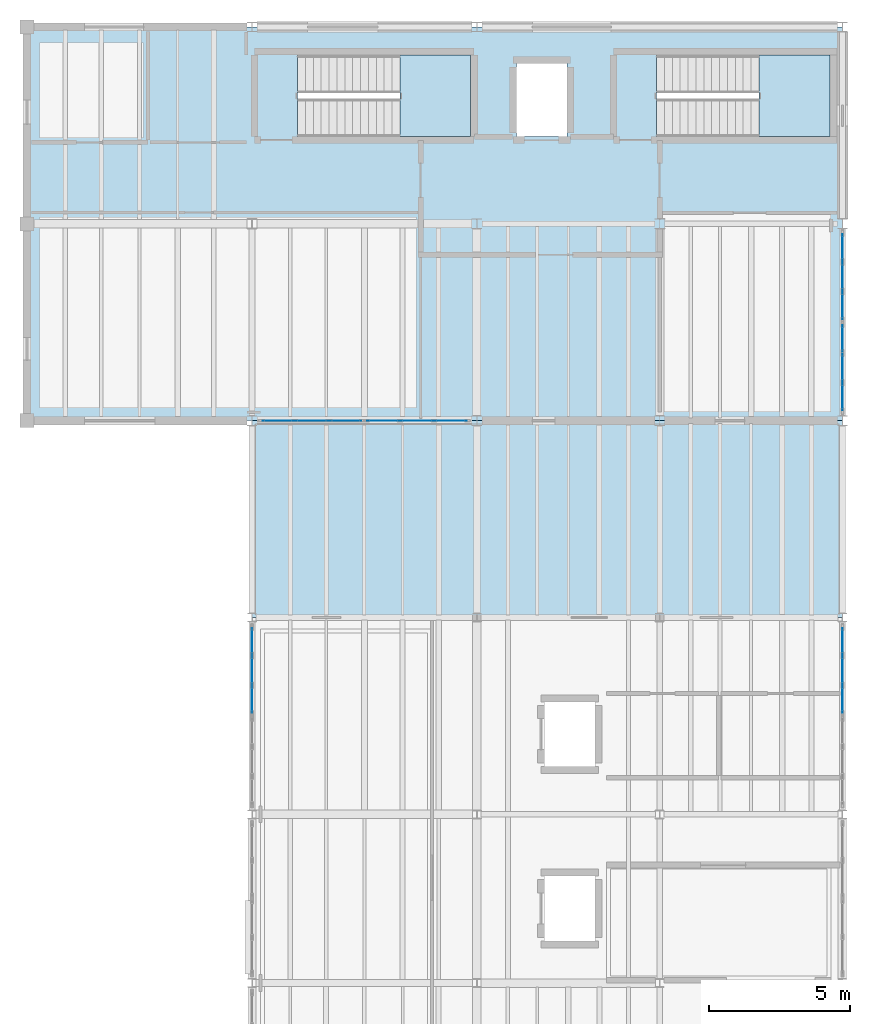
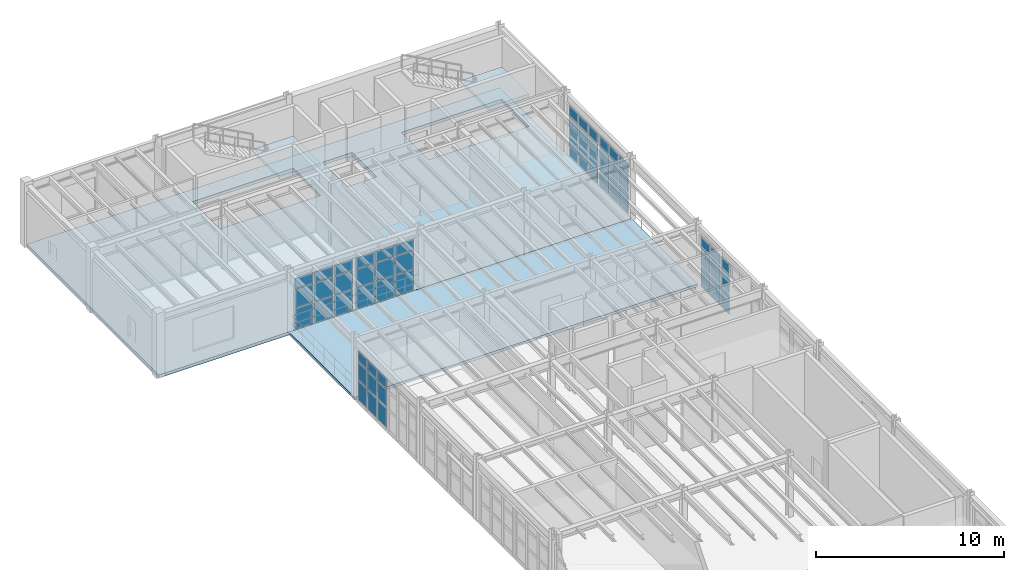
# One storey, part 21 of 27: 54 plates, 4 slabs, 8 elements without a shape of their own.
"""IFC4 building model written with IfcOpenShell, lengths in metres."""

from ifc_helpers import new_model, si_unit, direction, frame, origin, origin_2d, place, context, subcontext, project, spatial, polyline, rectangle, outline, extrude, material, layer, layer_set, type_object, element, aggregate, save


model = new_model("IFC4")

# Units and contexts
model_context = context("Model", 3, precision=1e-05, world=origin(), true_north=direction((0.0, 1.0)))
body_context = subcontext(model_context, "Body", "Model", "MODEL_VIEW")
ifc_project = project(units=[si_unit("LENGTHUNIT", "METRE"), si_unit("AREAUNIT", "SQUARE_METRE"), si_unit("VOLUMEUNIT", "CUBIC_METRE"), si_unit("PLANEANGLEUNIT", "RADIAN"), si_unit("MASSUNIT", "GRAM", prefix="KILO"), si_unit("THERMODYNAMICTEMPERATUREUNIT", "KELVIN"), si_unit("POWERUNIT", "WATT")], contexts=[model_context])

# Site, building, storey
site_placement = place(None, origin())
site = spatial("IfcSite", under=ifc_project, at=site_placement, CompositionType="ELEMENT")
building_placement = place(site_placement, origin())
building = spatial("IfcBuilding", under=site, at=building_placement, Name="Zhenchuan Central Fire Station", CompositionType="ELEMENT")
storey_placement = place(building_placement, frame((0.0, 0.0, 14.25)))
storey = spatial("IfcBuildingStorey", under=building, at=storey_placement, Name="L04", CompositionType="ELEMENT", Elevation=14.25)

# Curtain wall, plates
ifc_material_1 = material(Name="Anodised aluminium and low-E glazing", Category="aluminium")
curtain_wall_type_1 = type_object("IfcCurtainWallType", Name="CW-MOD-13", PredefinedType="USERDEFINED", material=ifc_material_1)
curtain_wall_1_placement = place(storey_placement, origin())
curtain_wall_1 = element("IfcCurtainWall", 1, at=curtain_wall_1_placement, inside=storey, type_object=curtain_wall_type_1, Name="L04 Unitised Curtain Wall 131", ObjectType="UNITISED GLAZING", PredefinedType="USERDEFINED")
ifc_material_2 = material(Name="Laminated low-E double glazing", Category="glass")
ifc_layer_1 = layer(ifc_material_2, 0.011962890625, Name="Laminated low-E double glazing", Category="glass")
ifc_layer_set_1 = layer_set([ifc_layer_1], Name="Laminated low-E double glazing")
plate_type = type_object("IfcPlateType", Name="CW-PNL12", PredefinedType="CURTAIN_PANEL", material=ifc_layer_set_1)
plate_1_placement = place(storey_placement, frame((161.0, 32.583740234375, 0.07080078125), z_axis=(0.0, 0.0, 1.0), x_axis=(0.0, 1.0, 0.0)))
plate_1 = element("IfcPlate", 2, at=plate_1_placement, type_object=plate_type, Name="CW-13 panel 1.1", PredefinedType="CURTAIN_PANEL", context=body_context, shape_type="SweptSolid", body=[
    extrude(rectangle(XDim=0.94140625, YDim=0.011962890625, at=origin_2d()), origin(), (0.0, 0.0, 1.0), 1.319580078125),
])
plate_2_placement = place(storey_placement, frame((161.0, 32.583740234375, 1.465576171875), z_axis=(0.0, 0.0, 1.0), x_axis=(0.0, 1.0, 0.0)))
plate_2 = element("IfcPlate", 3, at=plate_2_placement, type_object=plate_type, Name="CW-13 panel 1.2", PredefinedType="CURTAIN_PANEL", context=body_context, shape_type="SweptSolid", body=[
    extrude(rectangle(XDim=0.94140625, YDim=0.011962890625, at=origin_2d()), origin(), (0.0, 0.0, 1.0), 1.14892578125),
])
plate_3_placement = place(storey_placement, frame((161.0, 32.583740234375, 2.689453125), z_axis=(0.0, 0.0, 1.0), x_axis=(0.0, 1.0, 0.0)))
plate_3 = element("IfcPlate", 4, at=plate_3_placement, type_object=plate_type, Name="CW-13 panel 1.3", PredefinedType="CURTAIN_PANEL", context=body_context, shape_type="SweptSolid", body=[
    extrude(rectangle(XDim=0.94140625, YDim=0.011962890625, at=origin_2d()), origin(), (0.0, 0.0, 1.0), 0.635498046875),
])
plate_4_placement = place(storey_placement, frame((161.0, 33.618896484375, 0.07080078125), z_axis=(0.0, 0.0, 1.0), x_axis=(0.0, 1.0, 0.0)))
plate_4 = element("IfcPlate", 5, at=plate_4_placement, type_object=plate_type, Name="CW-13 panel 2.1", PredefinedType="CURTAIN_PANEL", context=body_context, shape_type="SweptSolid", body=[
    extrude(rectangle(XDim=0.97900390625, YDim=0.011962890625, at=origin_2d()), origin(), (0.0, 0.0, 1.0), 1.319580078125),
])
plate_5_placement = place(storey_placement, frame((161.0, 33.618896484375, 1.465576171875), z_axis=(0.0, 0.0, 1.0), x_axis=(0.0, 1.0, 0.0)))
plate_5 = element("IfcPlate", 6, at=plate_5_placement, type_object=plate_type, Name="CW-13 panel 2.2", PredefinedType="CURTAIN_PANEL", context=body_context, shape_type="SweptSolid", body=[
    extrude(rectangle(XDim=0.97900390625, YDim=0.011962890625, at=origin_2d()), origin(), (0.0, 0.0, 1.0), 1.14892578125),
])
plate_6_placement = place(storey_placement, frame((161.0, 33.618896484375, 2.689453125), z_axis=(0.0, 0.0, 1.0), x_axis=(0.0, 1.0, 0.0)))
plate_6 = element("IfcPlate", 7, at=plate_6_placement, type_object=plate_type, Name="CW-13 panel 2.3", PredefinedType="CURTAIN_PANEL", context=body_context, shape_type="SweptSolid", body=[
    extrude(rectangle(XDim=0.97900390625, YDim=0.011962890625, at=origin_2d()), origin(), (0.0, 0.0, 1.0), 0.635498046875),
])
plate_7_placement = place(storey_placement, frame((161.0, 34.654296875, 0.07080078125), z_axis=(0.0, 0.0, 1.0), x_axis=(0.0, 1.0, 0.0)))
plate_7 = element("IfcPlate", 8, at=plate_7_placement, type_object=plate_type, Name="CW-13 panel 3.1", PredefinedType="CURTAIN_PANEL", context=body_context, shape_type="SweptSolid", body=[
    extrude(rectangle(XDim=0.94140625, YDim=0.011962890625, at=origin_2d()), origin(), (0.0, 0.0, 1.0), 1.319580078125),
])
plate_8_placement = place(storey_placement, frame((161.0, 34.654296875, 1.465576171875), z_axis=(0.0, 0.0, 1.0), x_axis=(0.0, 1.0, 0.0)))
plate_8 = element("IfcPlate", 9, at=plate_8_placement, type_object=plate_type, Name="CW-13 panel 3.2", PredefinedType="CURTAIN_PANEL", context=body_context, shape_type="SweptSolid", body=[
    extrude(rectangle(XDim=0.94140625, YDim=0.011962890625, at=origin_2d()), origin(), (0.0, 0.0, 1.0), 1.14892578125),
])
plate_9_placement = place(storey_placement, frame((161.0, 34.654296875, 2.689453125), z_axis=(0.0, 0.0, 1.0), x_axis=(0.0, 1.0, 0.0)))
plate_9 = element("IfcPlate", 10, at=plate_9_placement, type_object=plate_type, Name="CW-13 panel 3.3", PredefinedType="CURTAIN_PANEL", context=body_context, shape_type="SweptSolid", body=[
    extrude(rectangle(XDim=0.94140625, YDim=0.011962890625, at=origin_2d()), origin(), (0.0, 0.0, 1.0), 0.635498046875),
])
aggregate(curtain_wall_1, [plate_1, plate_2, plate_3, plate_4, plate_5, plate_6, plate_7, plate_8, plate_9])

curtain_wall_type_2 = type_object("IfcCurtainWallType", Name="CW-MOD-17", PredefinedType="USERDEFINED", material=ifc_material_1)
curtain_wall_2_placement = place(storey_placement, origin())
curtain_wall_2 = element("IfcCurtainWall", 11, at=curtain_wall_2_placement, inside=storey, type_object=curtain_wall_type_2, Name="L04 Unitised Curtain Wall 141", ObjectType="UNITISED GLAZING", PredefinedType="USERDEFINED")
plate_10_placement = place(storey_placement, frame((140.0, 32.583740234375, 0.071044921875), z_axis=(0.0, 0.0, 1.0), x_axis=(0.0, 1.0, 0.0)))
plate_10 = element("IfcPlate", 12, at=plate_10_placement, type_object=plate_type, Name="CW-17 panel 1.1", PredefinedType="CURTAIN_PANEL", context=body_context, shape_type="SweptSolid", body=[
    extrude(rectangle(XDim=0.94140625, YDim=0.011962890625, at=origin_2d()), origin(), (0.0, 0.0, 1.0), 1.28759765625),
])
plate_11_placement = place(storey_placement, frame((140.0, 32.583740234375, 1.43359375), z_axis=(0.0, 0.0, 1.0), x_axis=(0.0, 1.0, 0.0)))
plate_11 = element("IfcPlate", 13, at=plate_11_placement, type_object=plate_type, Name="CW-17 panel 1.2", PredefinedType="CURTAIN_PANEL", context=body_context, shape_type="SweptSolid", body=[
    extrude(rectangle(XDim=0.94140625, YDim=0.011962890625, at=origin_2d()), origin(), (0.0, 0.0, 1.0), 1.12158203125),
])
plate_12_placement = place(storey_placement, frame((140.0, 32.583740234375, 2.63037109375), z_axis=(0.0, 0.0, 1.0), x_axis=(0.0, 1.0, 0.0)))
plate_12 = element("IfcPlate", 14, at=plate_12_placement, type_object=plate_type, Name="CW-17 panel 1.3", PredefinedType="CURTAIN_PANEL", context=body_context, shape_type="SweptSolid", body=[
    extrude(rectangle(XDim=0.94140625, YDim=0.011962890625, at=origin_2d()), origin(), (0.0, 0.0, 1.0), 0.618896484375),
])
plate_13_placement = place(storey_placement, frame((140.0, 33.618896484375, 0.071044921875), z_axis=(0.0, 0.0, 1.0), x_axis=(0.0, 1.0, 0.0)))
plate_13 = element("IfcPlate", 15, at=plate_13_placement, type_object=plate_type, Name="CW-17 panel 2.1", PredefinedType="CURTAIN_PANEL", context=body_context, shape_type="SweptSolid", body=[
    extrude(rectangle(XDim=0.97900390625, YDim=0.011962890625, at=origin_2d()), origin(), (0.0, 0.0, 1.0), 1.28759765625),
])
plate_14_placement = place(storey_placement, frame((140.0, 33.618896484375, 1.43359375), z_axis=(0.0, 0.0, 1.0), x_axis=(0.0, 1.0, 0.0)))
plate_14 = element("IfcPlate", 16, at=plate_14_placement, type_object=plate_type, Name="CW-17 panel 2.2", PredefinedType="CURTAIN_PANEL", context=body_context, shape_type="SweptSolid", body=[
    extrude(rectangle(XDim=0.97900390625, YDim=0.011962890625, at=origin_2d()), origin(), (0.0, 0.0, 1.0), 1.12158203125),
])
plate_15_placement = place(storey_placement, frame((140.0, 33.618896484375, 2.63037109375), z_axis=(0.0, 0.0, 1.0), x_axis=(0.0, 1.0, 0.0)))
plate_15 = element("IfcPlate", 17, at=plate_15_placement, type_object=plate_type, Name="CW-17 panel 2.3", PredefinedType="CURTAIN_PANEL", context=body_context, shape_type="SweptSolid", body=[
    extrude(rectangle(XDim=0.97900390625, YDim=0.011962890625, at=origin_2d()), origin(), (0.0, 0.0, 1.0), 0.618896484375),
])
plate_16_placement = place(storey_placement, frame((140.0, 34.654296875, 0.071044921875), z_axis=(0.0, 0.0, 1.0), x_axis=(0.0, 1.0, 0.0)))
plate_16 = element("IfcPlate", 18, at=plate_16_placement, type_object=plate_type, Name="CW-17 panel 3.1", PredefinedType="CURTAIN_PANEL", context=body_context, shape_type="SweptSolid", body=[
    extrude(rectangle(XDim=0.94140625, YDim=0.011962890625, at=origin_2d()), origin(), (0.0, 0.0, 1.0), 1.28759765625),
])
plate_17_placement = place(storey_placement, frame((140.0, 34.654296875, 1.43359375), z_axis=(0.0, 0.0, 1.0), x_axis=(0.0, 1.0, 0.0)))
plate_17 = element("IfcPlate", 19, at=plate_17_placement, type_object=plate_type, Name="CW-17 panel 3.2", PredefinedType="CURTAIN_PANEL", context=body_context, shape_type="SweptSolid", body=[
    extrude(rectangle(XDim=0.94140625, YDim=0.011962890625, at=origin_2d()), origin(), (0.0, 0.0, 1.0), 1.12158203125),
])
plate_18_placement = place(storey_placement, frame((140.0, 34.654296875, 2.63037109375), z_axis=(0.0, 0.0, 1.0), x_axis=(0.0, 1.0, 0.0)))
plate_18 = element("IfcPlate", 20, at=plate_18_placement, type_object=plate_type, Name="CW-17 panel 3.3", PredefinedType="CURTAIN_PANEL", context=body_context, shape_type="SweptSolid", body=[
    extrude(rectangle(XDim=0.94140625, YDim=0.011962890625, at=origin_2d()), origin(), (0.0, 0.0, 1.0), 0.618896484375),
])
aggregate(curtain_wall_2, [plate_10, plate_11, plate_12, plate_13, plate_14, plate_15, plate_16, plate_17, plate_18])

curtain_wall_type_3 = type_object("IfcCurtainWallType", Name="CW-MOD-14", PredefinedType="USERDEFINED", material=ifc_material_1)
curtain_wall_3_placement = place(storey_placement, origin())
curtain_wall_3 = element("IfcCurtainWall", 21, at=curtain_wall_3_placement, inside=storey, type_object=curtain_wall_type_3, Name="L04 Unitised Curtain Wall 146", ObjectType="UNITISED GLAZING", PredefinedType="USERDEFINED")
plate_19_placement = place(storey_placement, frame((161.0, 43.345703125, 0.071044921875), z_axis=(0.0, 0.0, 1.0), x_axis=(0.0, 1.0, 0.0)))
plate_19 = element("IfcPlate", 22, at=plate_19_placement, type_object=plate_type, Name="CW-14 panel 1.1", PredefinedType="CURTAIN_PANEL", context=body_context, shape_type="SweptSolid", body=[
    extrude(rectangle(XDim=0.94140625, YDim=0.011962890625, at=origin_2d()), origin(), (0.0, 0.0, 1.0), 1.31689453125),
])
plate_20_placement = place(storey_placement, frame((161.0, 43.345703125, 1.462890625), z_axis=(0.0, 0.0, 1.0), x_axis=(0.0, 1.0, 0.0)))
plate_20 = element("IfcPlate", 23, at=plate_20_placement, type_object=plate_type, Name="CW-14 panel 1.2", PredefinedType="CURTAIN_PANEL", context=body_context, shape_type="SweptSolid", body=[
    extrude(rectangle(XDim=0.94140625, YDim=0.011962890625, at=origin_2d()), origin(), (0.0, 0.0, 1.0), 1.146728515625),
])
plate_21_placement = place(storey_placement, frame((161.0, 43.345703125, 2.684814453125), z_axis=(0.0, 0.0, 1.0), x_axis=(0.0, 1.0, 0.0)))
plate_21 = element("IfcPlate", 24, at=plate_21_placement, type_object=plate_type, Name="CW-14 panel 1.3", PredefinedType="CURTAIN_PANEL", context=body_context, shape_type="SweptSolid", body=[
    extrude(rectangle(XDim=0.94140625, YDim=0.011962890625, at=origin_2d()), origin(), (0.0, 0.0, 1.0), 0.63427734375),
])
plate_22_placement = place(storey_placement, frame((161.0, 44.381103515625, 0.071044921875), z_axis=(0.0, 0.0, 1.0), x_axis=(0.0, 1.0, 0.0)))
plate_22 = element("IfcPlate", 25, at=plate_22_placement, type_object=plate_type, Name="CW-14 panel 2.1", PredefinedType="CURTAIN_PANEL", context=body_context, shape_type="SweptSolid", body=[
    extrude(rectangle(XDim=0.97900390625, YDim=0.011962890625, at=origin_2d()), origin(), (0.0, 0.0, 1.0), 1.31689453125),
])
plate_23_placement = place(storey_placement, frame((161.0, 44.381103515625, 1.462890625), z_axis=(0.0, 0.0, 1.0), x_axis=(0.0, 1.0, 0.0)))
plate_23 = element("IfcPlate", 26, at=plate_23_placement, type_object=plate_type, Name="CW-14 panel 2.2", PredefinedType="CURTAIN_PANEL", context=body_context, shape_type="SweptSolid", body=[
    extrude(rectangle(XDim=0.97900390625, YDim=0.011962890625, at=origin_2d()), origin(), (0.0, 0.0, 1.0), 1.146728515625),
])
plate_24_placement = place(storey_placement, frame((161.0, 44.381103515625, 2.684814453125), z_axis=(0.0, 0.0, 1.0), x_axis=(0.0, 1.0, 0.0)))
plate_24 = element("IfcPlate", 27, at=plate_24_placement, type_object=plate_type, Name="CW-14 panel 2.3", PredefinedType="CURTAIN_PANEL", context=body_context, shape_type="SweptSolid", body=[
    extrude(rectangle(XDim=0.97900390625, YDim=0.011962890625, at=origin_2d()), origin(), (0.0, 0.0, 1.0), 0.63427734375),
])
plate_25_placement = place(storey_placement, frame((161.0, 45.416259765625, 0.071044921875), z_axis=(0.0, 0.0, 1.0), x_axis=(0.0, 1.0, 0.0)))
plate_25 = element("IfcPlate", 28, at=plate_25_placement, type_object=plate_type, Name="CW-14 panel 3.1", PredefinedType="CURTAIN_PANEL", context=body_context, shape_type="SweptSolid", body=[
    extrude(rectangle(XDim=0.94140625, YDim=0.011962890625, at=origin_2d()), origin(), (0.0, 0.0, 1.0), 1.31689453125),
])
plate_26_placement = place(storey_placement, frame((161.0, 45.416259765625, 1.462890625), z_axis=(0.0, 0.0, 1.0), x_axis=(0.0, 1.0, 0.0)))
plate_26 = element("IfcPlate", 29, at=plate_26_placement, type_object=plate_type, Name="CW-14 panel 3.2", PredefinedType="CURTAIN_PANEL", context=body_context, shape_type="SweptSolid", body=[
    extrude(rectangle(XDim=0.94140625, YDim=0.011962890625, at=origin_2d()), origin(), (0.0, 0.0, 1.0), 1.146728515625),
])
plate_27_placement = place(storey_placement, frame((161.0, 45.416259765625, 2.684814453125), z_axis=(0.0, 0.0, 1.0), x_axis=(0.0, 1.0, 0.0)))
plate_27 = element("IfcPlate", 30, at=plate_27_placement, type_object=plate_type, Name="CW-14 panel 3.3", PredefinedType="CURTAIN_PANEL", context=body_context, shape_type="SweptSolid", body=[
    extrude(rectangle(XDim=0.94140625, YDim=0.011962890625, at=origin_2d()), origin(), (0.0, 0.0, 1.0), 0.63427734375),
])
aggregate(curtain_wall_3, [plate_19, plate_20, plate_21, plate_22, plate_23, plate_24, plate_25, plate_26, plate_27])

curtain_wall_type_4 = type_object("IfcCurtainWallType", Name="CW-MOD-15", PredefinedType="USERDEFINED", material=ifc_material_1)
curtain_wall_4_placement = place(storey_placement, origin())
curtain_wall_4 = element("IfcCurtainWall", 31, at=curtain_wall_4_placement, inside=storey, type_object=curtain_wall_type_4, Name="L04 Unitised Curtain Wall 147", ObjectType="UNITISED GLAZING", PredefinedType="USERDEFINED")
plate_28_placement = place(storey_placement, frame((161.0, 46.583740234375, 0.071044921875), z_axis=(0.0, 0.0, 1.0), x_axis=(0.0, 1.0, 0.0)))
plate_28 = element("IfcPlate", 32, at=plate_28_placement, type_object=plate_type, Name="CW-15 panel 1.1", PredefinedType="CURTAIN_PANEL", context=body_context, shape_type="SweptSolid", body=[
    extrude(rectangle(XDim=0.94140625, YDim=0.011962890625, at=origin_2d()), origin(), (0.0, 0.0, 1.0), 1.31689453125),
])
plate_29_placement = place(storey_placement, frame((161.0, 46.583740234375, 1.462890625), z_axis=(0.0, 0.0, 1.0), x_axis=(0.0, 1.0, 0.0)))
plate_29 = element("IfcPlate", 33, at=plate_29_placement, type_object=plate_type, Name="CW-15 panel 1.2", PredefinedType="CURTAIN_PANEL", context=body_context, shape_type="SweptSolid", body=[
    extrude(rectangle(XDim=0.94140625, YDim=0.011962890625, at=origin_2d()), origin(), (0.0, 0.0, 1.0), 1.146728515625),
])
plate_30_placement = place(storey_placement, frame((161.0, 46.583740234375, 2.684814453125), z_axis=(0.0, 0.0, 1.0), x_axis=(0.0, 1.0, 0.0)))
plate_30 = element("IfcPlate", 34, at=plate_30_placement, type_object=plate_type, Name="CW-15 panel 1.3", PredefinedType="CURTAIN_PANEL", context=body_context, shape_type="SweptSolid", body=[
    extrude(rectangle(XDim=0.94140625, YDim=0.011962890625, at=origin_2d()), origin(), (0.0, 0.0, 1.0), 0.63427734375),
])
plate_31_placement = place(storey_placement, frame((161.0, 47.618896484375, 0.071044921875), z_axis=(0.0, 0.0, 1.0), x_axis=(0.0, 1.0, 0.0)))
plate_31 = element("IfcPlate", 35, at=plate_31_placement, type_object=plate_type, Name="CW-15 panel 2.1", PredefinedType="CURTAIN_PANEL", context=body_context, shape_type="SweptSolid", body=[
    extrude(rectangle(XDim=0.97900390625, YDim=0.011962890625, at=origin_2d()), origin(), (0.0, 0.0, 1.0), 1.31689453125),
])
plate_32_placement = place(storey_placement, frame((161.0, 47.618896484375, 1.462890625), z_axis=(0.0, 0.0, 1.0), x_axis=(0.0, 1.0, 0.0)))
plate_32 = element("IfcPlate", 36, at=plate_32_placement, type_object=plate_type, Name="CW-15 panel 2.2", PredefinedType="CURTAIN_PANEL", context=body_context, shape_type="SweptSolid", body=[
    extrude(rectangle(XDim=0.97900390625, YDim=0.011962890625, at=origin_2d()), origin(), (0.0, 0.0, 1.0), 1.146728515625),
])
plate_33_placement = place(storey_placement, frame((161.0, 47.618896484375, 2.684814453125), z_axis=(0.0, 0.0, 1.0), x_axis=(0.0, 1.0, 0.0)))
plate_33 = element("IfcPlate", 37, at=plate_33_placement, type_object=plate_type, Name="CW-15 panel 2.3", PredefinedType="CURTAIN_PANEL", context=body_context, shape_type="SweptSolid", body=[
    extrude(rectangle(XDim=0.97900390625, YDim=0.011962890625, at=origin_2d()), origin(), (0.0, 0.0, 1.0), 0.63427734375),
])
plate_34_placement = place(storey_placement, frame((161.0, 48.654296875, 0.071044921875), z_axis=(0.0, 0.0, 1.0), x_axis=(0.0, 1.0, 0.0)))
plate_34 = element("IfcPlate", 38, at=plate_34_placement, type_object=plate_type, Name="CW-15 panel 3.1", PredefinedType="CURTAIN_PANEL", context=body_context, shape_type="SweptSolid", body=[
    extrude(rectangle(XDim=0.94140625, YDim=0.011962890625, at=origin_2d()), origin(), (0.0, 0.0, 1.0), 1.31689453125),
])
plate_35_placement = place(storey_placement, frame((161.0, 48.654296875, 1.462890625), z_axis=(0.0, 0.0, 1.0), x_axis=(0.0, 1.0, 0.0)))
plate_35 = element("IfcPlate", 39, at=plate_35_placement, type_object=plate_type, Name="CW-15 panel 3.2", PredefinedType="CURTAIN_PANEL", context=body_context, shape_type="SweptSolid", body=[
    extrude(rectangle(XDim=0.94140625, YDim=0.011962890625, at=origin_2d()), origin(), (0.0, 0.0, 1.0), 1.146728515625),
])
plate_36_placement = place(storey_placement, frame((161.0, 48.654296875, 2.684814453125), z_axis=(0.0, 0.0, 1.0), x_axis=(0.0, 1.0, 0.0)))
plate_36 = element("IfcPlate", 40, at=plate_36_placement, type_object=plate_type, Name="CW-15 panel 3.3", PredefinedType="CURTAIN_PANEL", context=body_context, shape_type="SweptSolid", body=[
    extrude(rectangle(XDim=0.94140625, YDim=0.011962890625, at=origin_2d()), origin(), (0.0, 0.0, 1.0), 0.63427734375),
])
aggregate(curtain_wall_4, [plate_28, plate_29, plate_30, plate_31, plate_32, plate_33, plate_34, plate_35, plate_36])

curtain_wall_type_5 = type_object("IfcCurtainWallType", Name="CW-MOD-22", PredefinedType="USERDEFINED", material=ifc_material_1)
curtain_wall_5_placement = place(storey_placement, origin())
curtain_wall_5 = element("IfcCurtainWall", 41, at=curtain_wall_5_placement, inside=storey, type_object=curtain_wall_type_5, Name="L04 Unitised Curtain Wall 148", ObjectType="UNITISED GLAZING", PredefinedType="USERDEFINED")
plate_37_placement = place(storey_placement, frame((140.92919921875, 42.5, 0.07080078125), z_axis=(0.0, 0.0, 1.0), x_axis=(1.0, 0.0, 0.0)))
plate_37 = element("IfcPlate", 42, at=plate_37_placement, type_object=plate_type, Name="CW-22 panel 1.1", PredefinedType="CURTAIN_PANEL", context=body_context, shape_type="SweptSolid", body=[
    extrude(rectangle(XDim=1.108154296875, YDim=0.011962890625, at=origin_2d()), origin(), (0.0, 0.0, 1.0), 1.319580078125),
])
plate_38_placement = place(storey_placement, frame((140.92919921875, 42.5, 1.465576171875), z_axis=(0.0, 0.0, 1.0), x_axis=(1.0, 0.0, 0.0)))
plate_38 = element("IfcPlate", 43, at=plate_38_placement, type_object=plate_type, Name="CW-22 panel 1.2", PredefinedType="CURTAIN_PANEL", context=body_context, shape_type="SweptSolid", body=[
    extrude(rectangle(XDim=1.108154296875, YDim=0.011962890625, at=origin_2d()), origin(), (0.0, 0.0, 1.0), 1.14892578125),
])
plate_39_placement = place(storey_placement, frame((140.92919921875, 42.5, 2.689453125), z_axis=(0.0, 0.0, 1.0), x_axis=(1.0, 0.0, 0.0)))
plate_39 = element("IfcPlate", 44, at=plate_39_placement, type_object=plate_type, Name="CW-22 panel 1.3", PredefinedType="CURTAIN_PANEL", context=body_context, shape_type="SweptSolid", body=[
    extrude(rectangle(XDim=1.108154296875, YDim=0.011962890625, at=origin_2d()), origin(), (0.0, 0.0, 1.0), 0.635498046875),
])
plate_40_placement = place(storey_placement, frame((142.131103515625, 42.5, 0.07080078125), z_axis=(0.0, 0.0, 1.0), x_axis=(1.0, 0.0, 0.0)))
plate_40 = element("IfcPlate", 45, at=plate_40_placement, type_object=plate_type, Name="CW-22 panel 2.1", PredefinedType="CURTAIN_PANEL", context=body_context, shape_type="SweptSolid", body=[
    extrude(rectangle(XDim=1.145751953125, YDim=0.011962890625, at=origin_2d()), origin(), (0.0, 0.0, 1.0), 1.319580078125),
])
plate_41_placement = place(storey_placement, frame((142.131103515625, 42.5, 1.465576171875), z_axis=(0.0, 0.0, 1.0), x_axis=(1.0, 0.0, 0.0)))
plate_41 = element("IfcPlate", 46, at=plate_41_placement, type_object=plate_type, Name="CW-22 panel 2.2", PredefinedType="CURTAIN_PANEL", context=body_context, shape_type="SweptSolid", body=[
    extrude(rectangle(XDim=1.145751953125, YDim=0.011962890625, at=origin_2d()), origin(), (0.0, 0.0, 1.0), 1.14892578125),
])
plate_42_placement = place(storey_placement, frame((142.131103515625, 42.5, 2.689453125), z_axis=(0.0, 0.0, 1.0), x_axis=(1.0, 0.0, 0.0)))
plate_42 = element("IfcPlate", 47, at=plate_42_placement, type_object=plate_type, Name="CW-22 panel 2.3", PredefinedType="CURTAIN_PANEL", context=body_context, shape_type="SweptSolid", body=[
    extrude(rectangle(XDim=1.145751953125, YDim=0.011962890625, at=origin_2d()), origin(), (0.0, 0.0, 1.0), 0.635498046875),
])
plate_43_placement = place(storey_placement, frame((143.3330078125, 42.5, 0.07080078125), z_axis=(0.0, 0.0, 1.0), x_axis=(1.0, 0.0, 0.0)))
plate_43 = element("IfcPlate", 48, at=plate_43_placement, type_object=plate_type, Name="CW-22 panel 3.1", PredefinedType="CURTAIN_PANEL", context=body_context, shape_type="SweptSolid", body=[
    extrude(rectangle(XDim=1.108154296875, YDim=0.011962890625, at=origin_2d()), origin(), (0.0, 0.0, 1.0), 1.319580078125),
])
plate_44_placement = place(storey_placement, frame((143.3330078125, 42.5, 1.465576171875), z_axis=(0.0, 0.0, 1.0), x_axis=(1.0, 0.0, 0.0)))
plate_44 = element("IfcPlate", 49, at=plate_44_placement, type_object=plate_type, Name="CW-22 panel 3.2", PredefinedType="CURTAIN_PANEL", context=body_context, shape_type="SweptSolid", body=[
    extrude(rectangle(XDim=1.108154296875, YDim=0.011962890625, at=origin_2d()), origin(), (0.0, 0.0, 1.0), 1.14892578125),
])
plate_45_placement = place(storey_placement, frame((143.3330078125, 42.5, 2.689453125), z_axis=(0.0, 0.0, 1.0), x_axis=(1.0, 0.0, 0.0)))
plate_45 = element("IfcPlate", 50, at=plate_45_placement, type_object=plate_type, Name="CW-22 panel 3.3", PredefinedType="CURTAIN_PANEL", context=body_context, shape_type="SweptSolid", body=[
    extrude(rectangle(XDim=1.108154296875, YDim=0.011962890625, at=origin_2d()), origin(), (0.0, 0.0, 1.0), 0.635498046875),
])
aggregate(curtain_wall_5, [plate_37, plate_38, plate_39, plate_40, plate_41, plate_42, plate_43, plate_44, plate_45])

curtain_wall_type_6 = type_object("IfcCurtainWallType", Name="CW-MOD-01", PredefinedType="USERDEFINED", material=ifc_material_1)
curtain_wall_6_placement = place(storey_placement, origin())
curtain_wall_6 = element("IfcCurtainWall", 51, at=curtain_wall_6_placement, inside=storey, type_object=curtain_wall_type_6, Name="L04 Unitised Curtain Wall 149", ObjectType="UNITISED GLAZING", PredefinedType="USERDEFINED")
plate_46_placement = place(storey_placement, frame((144.66455078125, 42.5, 0.06103515625), z_axis=(0.0, 0.0, 1.0), x_axis=(1.0, 0.0, 0.0)))
plate_46 = element("IfcPlate", 52, at=plate_46_placement, type_object=plate_type, Name="CW-01 panel 1.1", PredefinedType="CURTAIN_PANEL", context=body_context, shape_type="SweptSolid", body=[
    extrude(rectangle(XDim=1.123046875, YDim=0.011962890625, at=origin_2d()), origin(), (0.0, 0.0, 1.0), 1.33447265625),
])
plate_47_placement = place(storey_placement, frame((144.66455078125, 42.5, 1.46044921875), z_axis=(0.0, 0.0, 1.0), x_axis=(1.0, 0.0, 0.0)))
plate_47 = element("IfcPlate", 53, at=plate_47_placement, type_object=plate_type, Name="CW-01 panel 1.2", PredefinedType="CURTAIN_PANEL", context=body_context, shape_type="SweptSolid", body=[
    extrude(rectangle(XDim=1.123046875, YDim=0.011962890625, at=origin_2d()), origin(), (0.0, 0.0, 1.0), 1.158935546875),
])
plate_48_placement = place(storey_placement, frame((144.66455078125, 42.5, 2.6845703125), z_axis=(0.0, 0.0, 1.0), x_axis=(1.0, 0.0, 0.0)))
plate_48 = element("IfcPlate", 54, at=plate_48_placement, type_object=plate_type, Name="CW-01 panel 1.3", PredefinedType="CURTAIN_PANEL", context=body_context, shape_type="SweptSolid", body=[
    extrude(rectangle(XDim=1.123046875, YDim=0.011962890625, at=origin_2d()), origin(), (0.0, 0.0, 1.0), 0.650390625),
])
plate_49_placement = place(storey_placement, frame((145.868896484375, 42.5, 0.06103515625), z_axis=(0.0, 0.0, 1.0), x_axis=(1.0, 0.0, 0.0)))
plate_49 = element("IfcPlate", 55, at=plate_49_placement, type_object=plate_type, Name="CW-01 panel 2.1", PredefinedType="CURTAIN_PANEL", context=body_context, shape_type="SweptSolid", body=[
    extrude(rectangle(XDim=1.15576171875, YDim=0.011962890625, at=origin_2d()), origin(), (0.0, 0.0, 1.0), 1.33447265625),
])
plate_50_placement = place(storey_placement, frame((145.868896484375, 42.5, 1.46044921875), z_axis=(0.0, 0.0, 1.0), x_axis=(1.0, 0.0, 0.0)))
plate_50 = element("IfcPlate", 56, at=plate_50_placement, type_object=plate_type, Name="CW-01 panel 2.2", PredefinedType="CURTAIN_PANEL", context=body_context, shape_type="SweptSolid", body=[
    extrude(rectangle(XDim=1.15576171875, YDim=0.011962890625, at=origin_2d()), origin(), (0.0, 0.0, 1.0), 1.158935546875),
])
plate_51_placement = place(storey_placement, frame((145.868896484375, 42.5, 2.6845703125), z_axis=(0.0, 0.0, 1.0), x_axis=(1.0, 0.0, 0.0)))
plate_51 = element("IfcPlate", 57, at=plate_51_placement, type_object=plate_type, Name="CW-01 panel 2.3", PredefinedType="CURTAIN_PANEL", context=body_context, shape_type="SweptSolid", body=[
    extrude(rectangle(XDim=1.15576171875, YDim=0.011962890625, at=origin_2d()), origin(), (0.0, 0.0, 1.0), 0.650390625),
])
plate_52_placement = place(storey_placement, frame((147.073486328125, 42.5, 0.06103515625), z_axis=(0.0, 0.0, 1.0), x_axis=(1.0, 0.0, 0.0)))
plate_52 = element("IfcPlate", 58, at=plate_52_placement, type_object=plate_type, Name="CW-01 panel 3.1", PredefinedType="CURTAIN_PANEL", context=body_context, shape_type="SweptSolid", body=[
    extrude(rectangle(XDim=1.123046875, YDim=0.011962890625, at=origin_2d()), origin(), (0.0, 0.0, 1.0), 1.33447265625),
])
plate_53_placement = place(storey_placement, frame((147.073486328125, 42.5, 1.46044921875), z_axis=(0.0, 0.0, 1.0), x_axis=(1.0, 0.0, 0.0)))
plate_53 = element("IfcPlate", 59, at=plate_53_placement, type_object=plate_type, Name="CW-01 panel 3.2", PredefinedType="CURTAIN_PANEL", context=body_context, shape_type="SweptSolid", body=[
    extrude(rectangle(XDim=1.123046875, YDim=0.011962890625, at=origin_2d()), origin(), (0.0, 0.0, 1.0), 1.158935546875),
])
plate_54_placement = place(storey_placement, frame((147.073486328125, 42.5, 2.6845703125), z_axis=(0.0, 0.0, 1.0), x_axis=(1.0, 0.0, 0.0)))
plate_54 = element("IfcPlate", 60, at=plate_54_placement, type_object=plate_type, Name="CW-01 panel 3.3", PredefinedType="CURTAIN_PANEL", context=body_context, shape_type="SweptSolid", body=[
    extrude(rectangle(XDim=1.123046875, YDim=0.011962890625, at=origin_2d()), origin(), (0.0, 0.0, 1.0), 0.650390625),
])
aggregate(curtain_wall_6, [plate_46, plate_47, plate_48, plate_49, plate_50, plate_51, plate_52, plate_53, plate_54])

# Slabs
ifc_material_3 = material(Name="Concrete C35/45", Category="concrete")
ifc_layer_2 = layer(ifc_material_3, 0.179931640625, Name="Concrete C35/45", Category="concrete")
ifc_layer_set_2 = layer_set([ifc_layer_2], Name="Concrete C35/45")
slab_type_1 = type_object("IfcSlabType", Name="SL-EXT180", PredefinedType="FLOOR", material=ifc_layer_set_2)
slab_1_placement = place(storey_placement, frame((0.0, 0.0, -0.179931640625)))
element("IfcSlab", 61, at=slab_1_placement, inside=storey, type_object=slab_type_1, Name="L04 Headquarters Tactical Observation Terrace", PredefinedType="FLOOR", context=body_context, shape_type="SweptSolid", body=[
    extrude(outline(polyline([(140.0, 35.50390625), (161.0, 35.50390625), (161.0, 42.5), (140.0, 42.5), (140.0, 35.50390625)])), origin(), (0.0, 0.0, 1.0), 0.179931640625),
])
ifc_layer_3 = layer(ifc_material_3, 0.199951171875, Name="Concrete C35/45", Category="concrete")
ifc_layer_set_3 = layer_set([ifc_layer_3], Name="Concrete C35/45")
slab_type_2 = type_object("IfcSlabType", Name="SL-FLR200", PredefinedType="FLOOR", material=ifc_layer_set_3)
slab_2_placement = place(storey_placement, frame((0.0, 0.0, -0.199951171875)))
element("IfcSlab", 62, at=slab_2_placement, inside=storey, type_object=slab_type_2, Name="L04 Drill Tower Floor Slab", PredefinedType="FLOOR", context=body_context, shape_type="SweptSolid", body=[
    extrude(outline(polyline([(132.02490234375, 42.50390625), (161.0, 42.50390625), (161.0, 56.5), (132.02490234375, 56.5), (132.02490234375, 42.50390625)]), holes=[polyline([(141.62060546875, 52.60009765625), (147.780029296875, 52.60009765625), (147.780029296875, 55.5), (141.62060546875, 55.5), (141.62060546875, 52.60009765625)]), polyline([(154.390380859375, 52.60009765625), (160.550048828125, 52.60009765625), (160.550048828125, 55.5), (154.390380859375, 55.5), (154.390380859375, 52.60009765625)]), polyline([(149.39990234375, 52.60009765625), (151.199951171875, 52.60009765625), (151.199951171875, 55.199951171875), (149.39990234375, 55.199951171875), (149.39990234375, 52.60009765625)])]), origin(), (0.0, 0.0, 1.0), 0.199951171875),
])

# Stair, slab
stair_type = type_object("IfcStairType", Name="ST-CORE-TYP", PredefinedType="HALF_TURN_STAIR", material=ifc_material_3)
stair_1_placement = place(storey_placement, origin())
stair_1 = element("IfcStair", 63, at=stair_1_placement, inside=storey, type_object=stair_type, Name="L04 Drill Tower West Exit Stair", PredefinedType="HALF_TURN_STAIR")
ifc_layer_4 = layer(ifc_material_3, 0.159912109375, Name="Concrete C35/45", Category="concrete")
ifc_layer_set_4 = layer_set([ifc_layer_4], Name="Concrete C35/45")
slab_type_3 = type_object("IfcSlabType", Name="SL-LND160", PredefinedType="LANDING", material=ifc_layer_set_4)
slab_3_placement = place(storey_placement, frame((0.0, 0.0, 1.89990234375)))
slab_3 = element("IfcSlab", 64, at=slab_3_placement, type_object=slab_type_3, Name="ST-12 landing 1", PredefinedType="LANDING", context=body_context, shape_type="SweptSolid", body=[
    extrude(outline(polyline([(145.260009765625, 52.60009765625), (147.780029296875, 52.60009765625), (147.780029296875, 55.5), (145.260009765625, 55.5), (145.260009765625, 52.60009765625)])), origin(), (0.0, 0.0, 1.0), 0.2001953125),
])
aggregate(stair_1, [slab_3])

stair_2_placement = place(storey_placement, origin())
stair_2 = element("IfcStair", 65, at=stair_2_placement, inside=storey, type_object=stair_type, Name="L04 Drill Tower East Exit Stair", PredefinedType="HALF_TURN_STAIR")
slab_4_placement = place(storey_placement, frame((0.0, 0.0, 1.89990234375)))
slab_4 = element("IfcSlab", 66, at=slab_4_placement, type_object=slab_type_3, Name="ST-13 landing 1", PredefinedType="LANDING", context=body_context, shape_type="SweptSolid", body=[
    extrude(outline(polyline([(158.030029296875, 52.60009765625), (160.550048828125, 52.60009765625), (160.550048828125, 55.5), (158.030029296875, 55.5), (158.030029296875, 52.60009765625)])), origin(), (0.0, 0.0, 1.0), 0.2001953125),
])
aggregate(stair_2, [slab_4])

save(model, "model.ifc")
